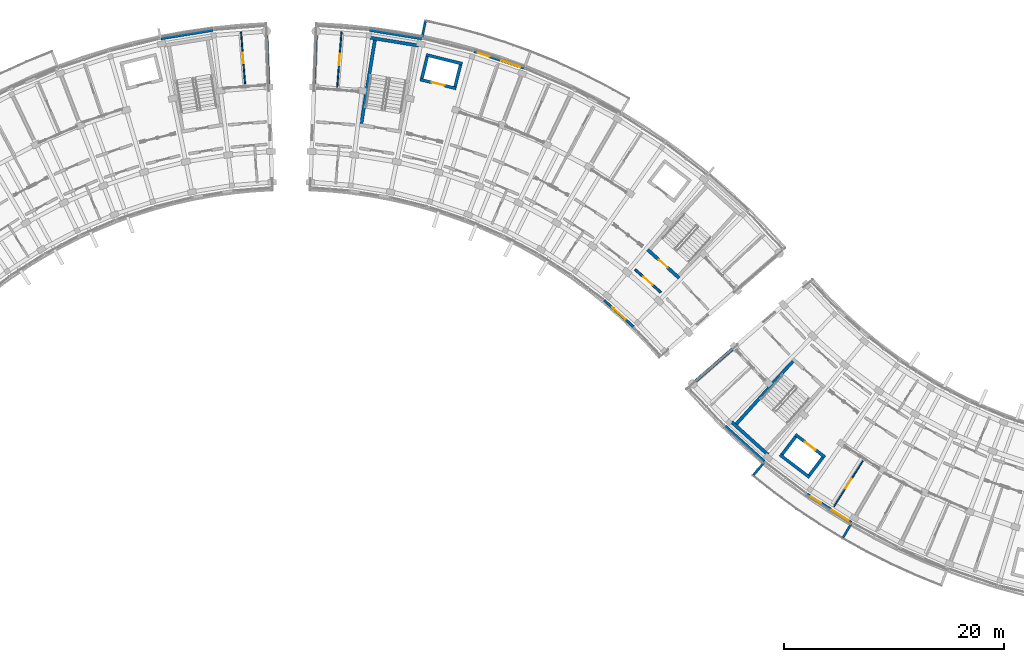
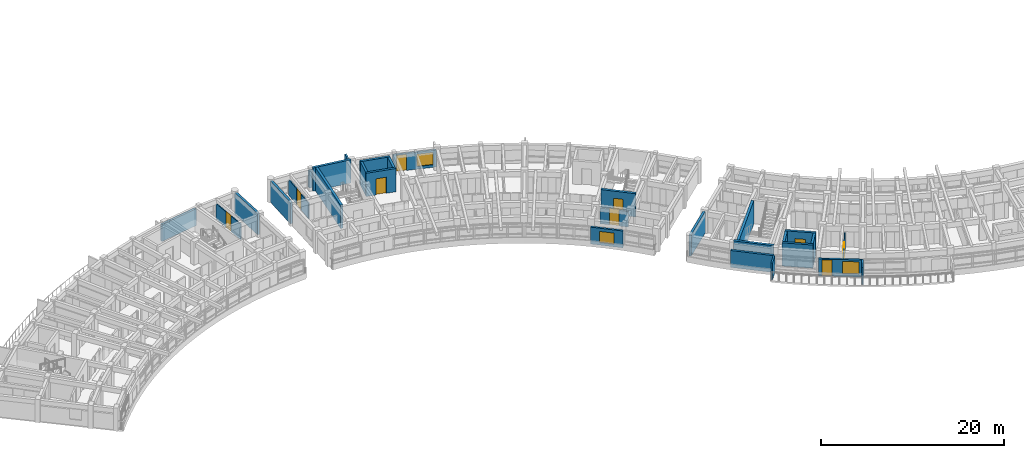
# One storey, part 32 of 55: 29 walls, 9 doors, 3 windows, 12 openings.
"""IFC4 building model written with IfcOpenShell, lengths in metres."""

from ifc_helpers import new_model, si_unit, direction, frame, frame_2d, origin, place, context, subcontext, project, spatial, rectangle, extrude, material, layer, layer_set, type_object, element, fill, save


model = new_model("IFC4")

# Units and contexts
model_context = context("Model", 3, precision=1e-05, world=origin(), true_north=direction((0.0, 1.0)))
body_context = subcontext(model_context, "Body", "Model", "MODEL_VIEW")
ifc_project = project(units=[si_unit("LENGTHUNIT", "METRE"), si_unit("AREAUNIT", "SQUARE_METRE"), si_unit("VOLUMEUNIT", "CUBIC_METRE"), si_unit("PLANEANGLEUNIT", "RADIAN"), si_unit("MASSUNIT", "GRAM", prefix="KILO")], contexts=[model_context])

# Site, building, storey
site_placement = place(None, origin())
site = spatial("IfcSite", under=ifc_project, at=site_placement, CompositionType="ELEMENT")
building_placement = place(site_placement, origin())
building = spatial("IfcBuilding", under=site, at=building_placement, Name="Zimvara Arc Housing Community", CompositionType="ELEMENT")
storey_placement = place(building_placement, frame((0.0, 0.0, 14.300048828125)))
storey = spatial("IfcBuildingStorey", under=building, at=storey_placement, Name="L04", CompositionType="ELEMENT", Elevation=14.300048828125)

# Wall, openings, door, window
ifc_material_1 = material(Name="Board-Marked Fair-Faced Concrete C35/45", Category="concrete")
ifc_layer_1 = layer(ifc_material_1, 0.219970703125)
ifc_layer_set_1 = layer_set([ifc_layer_1], Name="Board-Marked Fair-Faced Concrete C35/45")
wall_type_1 = type_object("IfcWallType", Name="EWL-CONC-220", PredefinedType="SOLIDWALL", material=ifc_layer_set_1)
wall_1_placement = place(storey_placement, frame((61.625244140625, 101.50439453125, 0.0), z_axis=(0.0, 0.0, 1.0), x_axis=(0.947867898788, -0.318663531717, 0.0)))
wall_1 = element("IfcWall", 1, at=wall_1_placement, inside=storey, type_object=wall_type_1, Name="ewall:blkB:L04:out:b3", PredefinedType="SOLIDWALL", context=body_context, shape_type="SweptSolid", body=[
    extrude(rectangle(XDim=4.80908203125, YDim=0.219970703125, at=frame_2d((2.404541015625, 0.0))), origin(), (0.0, 0.0, 1.0), 2.25),
])
opening_1_placement = place(wall_1_placement, frame((0.39990234375, 0.0, 0.0)))
opening_1 = element("IfcOpeningElement", 2, at=opening_1_placement, cuts=wall_1, Name="Opening ED06", PredefinedType="OPENING", context=body_context, shape_type="SweptSolid", body=[
    extrude(rectangle(XDim=1.10009765625, YDim=2.14990234375, at=frame_2d((0.550048828125, 1.074951171875))), frame((0.0, 0.119873046875, 0.0), z_axis=(0.0, -1.0, 0.0), x_axis=(1.0, 0.0, 0.0)), (0.0, 0.0, 1.0), 0.239990234375),
])
opening_2_placement = place(wall_1_placement, frame((2.658935546875, 0.0, 0.35009765625)))
opening_2 = element("IfcOpeningElement", 3, at=opening_2_placement, cuts=wall_1, Name="Opening W08", PredefinedType="OPENING", context=body_context, shape_type="SweptSolid", body=[
    extrude(rectangle(XDim=1.800048828125, YDim=1.64990234375, at=frame_2d((0.89990234375, 0.824951171875))), frame((0.0, 0.119873046875, 0.0), z_axis=(0.0, -1.0, 0.0), x_axis=(1.0, 0.0, 0.0)), (0.0, 0.0, 1.0), 0.239990234375),
])
ifc_material_2 = material(Name="Anodised Aluminium AW-6063", Category="aluminium")
door_type_1 = type_object("IfcDoorType", Name="EDR-TERR-1100x2150", OperationType="NOTDEFINED", PredefinedType="DOOR", material=ifc_material_2)
door_1_placement = place(opening_1_placement, origin())
door_1 = element("IfcDoor", 4, at=door_1_placement, inside=storey, type_object=door_type_1, Name="edoor:blkB:L04:bal_out:b3", OperationType="SINGLE_SWING_LEFT", OverallHeight=2.14990234375, OverallWidth=1.10009765625, PredefinedType="DOOR", context=body_context, shape_type="SweptSolid", body=[
    extrude(rectangle(XDim=1.10009765625, YDim=2.14990234375, at=frame_2d((0.550048828125, 1.074951171875))), frame((0.0, 0.02490234375, 0.0), z_axis=(0.0, -1.0, 0.0), x_axis=(1.0, 0.0, 0.0)), (0.0, 0.0, 1.0), 0.050048828125),
])
fill(opening_1, door_1)
ifc_material_3 = material(Name="Solar Control Low-E Double Glazing", Category="glass")
window_type_1 = type_object("IfcWindowType", Name="WIN-RES-1800x1650", PartitioningType="TRIPLE_PANEL_VERTICAL", PredefinedType="WINDOW", material=ifc_material_3)
window_1_placement = place(opening_2_placement, origin())
window_1 = element("IfcWindow", 5, at=window_1_placement, inside=storey, type_object=window_type_1, Name="win:blkB:L04:out:b3:balw", OverallHeight=1.64990234375, OverallWidth=1.800048828125, PartitioningType="TRIPLE_PANEL_VERTICAL", PredefinedType="WINDOW", context=body_context, shape_type="SweptSolid", body=[
    extrude(rectangle(XDim=1.800048828125, YDim=1.64990234375, at=frame_2d((0.89990234375, 0.824951171875))), frame((0.0, 0.030029296875, 0.0), z_axis=(0.0, -1.0, 0.0), x_axis=(1.0, 0.0, 0.0)), (0.0, 0.0, 1.0), 0.06005859375),
])
fill(opening_2, window_1)

# Wall, opening, window
ifc_material_4 = material(Name="Board-Marked Fair-Faced Concrete C35/45", Category="concrete")
ifc_layer_2 = layer(ifc_material_4, 0.22998046875)
ifc_layer_set_2 = layer_set([ifc_layer_2], Name="Board-Marked Fair-Faced Concrete C35/45")
wall_type_2 = type_object("IfcWallType", Name="EWL-CONC-230", PredefinedType="SOLIDWALL", material=ifc_layer_set_2)
wall_2_placement = place(storey_placement, frame((73.480712890625, 78.84716796875, 0.0), z_axis=(0.0, 0.0, 1.0), x_axis=(0.743385092197, -0.668863666751, 0.0)))
wall_2 = element("IfcWall", 6, at=wall_2_placement, inside=storey, type_object=wall_type_2, Name="ewall:blkB:L04:in:b8", PredefinedType="SOLIDWALL", context=body_context, shape_type="SweptSolid", body=[
    extrude(rectangle(XDim=3.603759765625, YDim=0.22998046875, at=frame_2d((1.8017578125, 0.0))), origin(), (0.0, 0.0, 1.0), 2.25),
])
opening_3_placement = place(wall_2_placement, frame((1.001708984375, 0.0, 0.320068359375)))
opening_3 = element("IfcOpeningElement", 7, at=opening_3_placement, cuts=wall_2, Name="Opening W03", PredefinedType="OPENING", context=body_context, shape_type="SweptSolid", body=[
    extrude(rectangle(XDim=1.60009765625, YDim=1.5, at=frame_2d((0.800048828125, 0.75))), frame((0.0, 0.125, 0.0), z_axis=(0.0, -1.0, 0.0), x_axis=(1.0, 0.0, 0.0)), (0.0, 0.0, 1.0), 0.25),
])
ifc_material_5 = material(Name="Solar Control Low-E Double Glazing", Category="glass")
window_type_2 = type_object("IfcWindowType", Name="WIN-RES-1600x1500", PartitioningType="DOUBLE_PANEL_VERTICAL", PredefinedType="WINDOW", material=ifc_material_5)
window_2_placement = place(opening_3_placement, origin())
window_2 = element("IfcWindow", 8, at=window_2_placement, inside=storey, type_object=window_type_2, Name="win:blkB:L04:in:b8", OverallHeight=1.5, OverallWidth=1.60009765625, PartitioningType="DOUBLE_PANEL_VERTICAL", PredefinedType="WINDOW", context=body_context, shape_type="SweptSolid", body=[
    extrude(rectangle(XDim=1.60009765625, YDim=1.5, at=frame_2d((0.800048828125, 0.75))), frame((0.0, 0.030029296875, 0.0), z_axis=(0.0, -1.0, 0.0), x_axis=(1.0, 0.0, 0.0)), (0.0, 0.0, 1.0), 0.06005859375),
])
fill(opening_3, window_2)

# Walls
ifc_material_6 = material(Name="Board-Marked Fair-Faced Concrete C40/50", Category="concrete")
ifc_layer_3 = layer(ifc_material_6, 0.27490234375)
ifc_layer_set_3 = layer_set([ifc_layer_3], Name="Board-Marked Fair-Faced Concrete C40/50")
wall_type_3 = type_object("IfcWallType", Name="EWL-CONC-275", PredefinedType="SOLIDWALL", material=ifc_layer_set_3)
wall_3_placement = place(storey_placement, frame((84.508056640625, 67.36328125, 0.0), z_axis=(0.0, 0.0, 1.0), x_axis=(0.743387539862, -0.668860946369, 0.0)))
element("IfcWall", 9, at=wall_3_placement, inside=storey, type_object=wall_type_3, Name="ewall:blkC:L04:out:b1", PredefinedType="SOLIDWALL", context=body_context, shape_type="SweptSolid", body=[
    extrude(rectangle(XDim=4.80908203125, YDim=0.27490234375, at=frame_2d((2.404541015625, 0.0))), origin(), (0.0, 0.0, 1.0), 2.25),
])
ifc_material_7 = material(Name="Board-Marked Fair-Faced Concrete C35/45", Category="concrete")
ifc_layer_4 = layer(ifc_material_7, 0.195068359375)
ifc_layer_set_4 = layer_set([ifc_layer_4], Name="Board-Marked Fair-Faced Concrete C35/45")
wall_type_4 = type_object("IfcWallType", Name="EWL-PARA-195", PredefinedType="PARAPET", material=ifc_layer_set_4)
for number, where, z_axis, x_axis, name in (
    (10, (56.907470703125, 102.714599609375, 0.0), (0.0, 0.0, 1.0), (0.200410159258, 0.979712084271, 0.0), "finwall:blkB:L04:out:b2"),
    (11, (88.072265625, 64.1025390625, 0.0), (0.0, 0.0, 1.0), (-0.637952984874, -0.770075313908, 0.0), "finwall:blkC:L04:out:b2"),
    (12, (96.018798828125, 58.546630859375, 0.0), (0.0, 0.0, 1.0), (-0.504228145431, -0.863570481985, 0.0), "finwall:blkC:L04:out:b4"),
):
    element("IfcWall", number, at=place(storey_placement, frame(where, z_axis=z_axis, x_axis=x_axis)), inside=storey, type_object=wall_type_4, Name=name, PredefinedType="PARAPET", context=body_context, shape_type="SweptSolid", body=[
        extrude(rectangle(XDim=1.530029296875, YDim=0.195068359375, at=frame_2d((0.76513671875, 0.0))), origin(), (0.0, 0.0, 1.0), 2.25),
    ])

# Wall, openings, door, window
ifc_material_8 = material(Name="Pigmented Fair-Faced Concrete C35/45", Category="concrete")
ifc_layer_5 = layer(ifc_material_8, 0.2451171875)
ifc_layer_set_5 = layer_set([ifc_layer_5], Name="Pigmented Fair-Faced Concrete C35/45")
wall_type_5 = type_object("IfcWallType", Name="EWL-PIGM-245", PredefinedType="SOLIDWALL", material=ifc_layer_set_5)
wall_4_placement = place(storey_placement, frame((91.971923828125, 61.18408203125, 0.0), z_axis=(0.0, 0.0, 1.0), x_axis=(0.84226218024, -0.539068103061, 0.0)))
wall_4 = element("IfcWall", 13, at=wall_4_placement, inside=storey, type_object=wall_type_5, Name="ewall:blkC:L04:out:b3", PredefinedType="SOLIDWALL", context=body_context, shape_type="SweptSolid", body=[
    extrude(rectangle(XDim=4.808837890625, YDim=0.2451171875, at=frame_2d((2.404296875, 0.0))), origin(), (0.0, 0.0, 1.0), 2.25),
])
opening_4_placement = place(wall_4_placement, frame((0.39990234375, 0.0, 0.0)))
opening_4 = element("IfcOpeningElement", 14, at=opening_4_placement, cuts=wall_4, Name="Opening ED06", PredefinedType="OPENING", context=body_context, shape_type="SweptSolid", body=[
    extrude(rectangle(XDim=1.10009765625, YDim=2.14990234375, at=frame_2d((0.550048828125, 1.074951171875))), frame((0.0, 0.132568359375, 0.0), z_axis=(0.0, -1.0, 0.0), x_axis=(1.0, 0.0, 0.0)), (0.0, 0.0, 1.0), 0.26513671875),
])
opening_5_placement = place(wall_4_placement, frame((2.658935546875, 0.0, 0.35009765625)))
opening_5 = element("IfcOpeningElement", 15, at=opening_5_placement, cuts=wall_4, Name="Opening W08", PredefinedType="OPENING", context=body_context, shape_type="SweptSolid", body=[
    extrude(rectangle(XDim=1.800048828125, YDim=1.64990234375, at=frame_2d((0.89990234375, 0.824951171875))), frame((0.0, 0.132568359375, 0.0), z_axis=(0.0, -1.0, 0.0), x_axis=(1.0, 0.0, 0.0)), (0.0, 0.0, 1.0), 0.26513671875),
])
door_2_placement = place(opening_4_placement, origin())
door_2 = element("IfcDoor", 16, at=door_2_placement, inside=storey, type_object=door_type_1, Name="edoor:blkC:L04:bal_out:b3", OperationType="SINGLE_SWING_LEFT", OverallHeight=2.14990234375, OverallWidth=1.10009765625, PredefinedType="DOOR", context=body_context, shape_type="SweptSolid", body=[
    extrude(rectangle(XDim=1.10009765625, YDim=2.14990234375, at=frame_2d((0.550048828125, 1.074951171875))), frame((0.0, 0.02490234375, 0.0), z_axis=(0.0, -1.0, 0.0), x_axis=(1.0, 0.0, 0.0)), (0.0, 0.0, 1.0), 0.050048828125),
])
fill(opening_4, door_2)
window_3_placement = place(opening_5_placement, origin())
window_3 = element("IfcWindow", 17, at=window_3_placement, inside=storey, type_object=window_type_1, Name="win:blkC:L04:out:b3:balw", OverallHeight=1.64990234375, OverallWidth=1.800048828125, PartitioningType="TRIPLE_PANEL_VERTICAL", PredefinedType="WINDOW", context=body_context, shape_type="SweptSolid", body=[
    extrude(rectangle(XDim=1.800048828125, YDim=1.64990234375, at=frame_2d((0.89990234375, 0.824951171875))), frame((0.0, 0.030029296875, 0.0), z_axis=(0.0, -1.0, 0.0), x_axis=(1.0, 0.0, 0.0)), (0.0, 0.0, 1.0), 0.06005859375),
])
fill(opening_5, window_3)

# Walls
ifc_material_9 = material(Name="Board-Marked Fair-Faced Concrete C35/45", Category="concrete")
ifc_layer_6 = layer(ifc_material_9, 0.278076171875)
ifc_layer_set_6 = layer_set([ifc_layer_6], Name="Board-Marked Fair-Faced Concrete C35/45")
wall_type_6 = type_object("IfcWallType", Name="EWL-VAR-23", PredefinedType="SOLIDWALL", material=ifc_layer_set_6)
for number, where, z_axis, x_axis, name in (
    (18, (33.120361328125, 102.6787109375, 0.0), (0.0, 0.0, 1.0), (0.987080750493, 0.160223568819, 0.0), "ewall:blkA:L04:out:b8"),
    (19, (52.1328125, 103.44921875, 0.0), (0.0, 0.0, 1.0), (0.987080750493, -0.160223568819, 0.0), "ewall:blkB:L04:out:b1"),
):
    element("IfcWall", number, at=place(storey_placement, frame(where, z_axis=z_axis, x_axis=x_axis)), inside=storey, type_object=wall_type_6, Name=name, PredefinedType="SOLIDWALL", context=body_context, shape_type="SweptSolid", body=[
        extrude(rectangle(XDim=4.808837890625, YDim=0.278076171875, at=frame_2d((2.404296875, 0.0))), origin(), (0.0, 0.0, 1.0), 2.25),
    ])

# Wall, opening, door
ifc_material_10 = material(Name="Concrete C35/45", Category="concrete")
ifc_layer_7 = layer(ifc_material_10, 0.2099609375)
ifc_layer_set_7 = layer_set([ifc_layer_7], Name="Concrete C35/45")
wall_type_7 = type_object("IfcWallType", Name="IWL-CCF-210", PredefinedType="SOLIDWALL", material=ifc_layer_set_7)
wall_5_placement = place(storey_placement, frame((76.317138671875, 81.644287109375, 0.0), z_axis=(0.0, 0.0, 1.0), x_axis=(0.743387266925, -0.668861249718, 0.0)))
wall_5 = element("IfcWall", 20, at=wall_5_placement, inside=storey, type_object=wall_type_7, Name="iwall:blkB:L04:ccf_div:b8", PredefinedType="SOLIDWALL", context=body_context, shape_type="SweptSolid", body=[
    extrude(rectangle(XDim=3.12841796875, YDim=0.2099609375, at=frame_2d((1.564208984375, 0.0))), origin(), (0.0, 0.0, 1.0), 2.079833984375),
])
opening_6_placement = place(wall_5_placement, frame((1.014404296875, 0.0, 0.0)))
opening_6 = element("IfcOpeningElement", 21, at=opening_6_placement, cuts=wall_5, Name="Opening FD-CCF1", PredefinedType="OPENING", context=body_context, shape_type="SweptSolid", body=[
    extrude(rectangle(XDim=1.10009765625, YDim=2.14990234375, at=frame_2d((0.550048828125, 1.074951171875))), frame((0.0, 0.114990234375, 0.0), z_axis=(0.0, -1.0, 0.0), x_axis=(1.0, 0.0, 0.0)), (0.0, 0.0, 1.0), 0.22998046875),
])
ifc_material_11 = material(Name="Anodised Aluminium AW-6063", Category="aluminium")
door_type_2 = type_object("IfcDoorType", Name="IDR-CCF-1100x2150", OperationType="NOTDEFINED", PredefinedType="DOOR", material=ifc_material_11)
door_3_placement = place(opening_6_placement, origin())
door_3 = element("IfcDoor", 22, at=door_3_placement, inside=storey, type_object=door_type_2, Name="idoor:blkB:L04:ccf_in:b8", OperationType="SINGLE_SWING_LEFT", OverallHeight=2.14990234375, OverallWidth=1.10009765625, PredefinedType="DOOR", context=body_context, shape_type="SweptSolid", body=[
    extrude(rectangle(XDim=1.10009765625, YDim=2.14990234375, at=frame_2d((0.550048828125, 1.074951171875))), frame((0.0, 0.02490234375, 0.0), z_axis=(0.0, -1.0, 0.0), x_axis=(1.0, 0.0, 0.0)), (0.0, 0.0, 1.0), 0.050048828125),
])
fill(opening_6, door_3)

ifc_material_12 = material(Name="Painted Acoustic Plasterboard")
ifc_layer_8 = layer(ifc_material_12, 0.1201171875)
ifc_layer_set_8 = layer_set([ifc_layer_8], Name="Painted Acoustic Plasterboard")
wall_type_8 = type_object("IfcWallType", Name="IWL-PART-120", PredefinedType="PARTITIONING", material=ifc_layer_set_8)
wall_6_placement = place(storey_placement, frame((40.791259765625, 98.536376953125, 0.0), z_axis=(0.0, 0.0, 1.0), x_axis=(-0.077663362156, 0.996979639801, 0.0)))
wall_6 = element("IfcWall", 23, at=wall_6_placement, inside=storey, type_object=wall_type_8, Name="iwall:blkA:L04:bed_div:b9", PredefinedType="PARTITIONING", context=body_context, shape_type="SweptSolid", body=[
    extrude(rectangle(XDim=4.75, YDim=0.1201171875, at=frame_2d((2.375, 0.0))), origin(), (0.0, 0.0, 1.0), 2.079833984375),
])
opening_7_placement = place(wall_6_placement, frame((1.889892578125, 0.0, 0.0)))
opening_7 = element("IfcOpeningElement", 24, at=opening_7_placement, cuts=wall_6, Name="Opening D14", PredefinedType="OPENING", context=body_context, shape_type="SweptSolid", body=[
    extrude(rectangle(XDim=0.969970703125, YDim=2.10009765625, at=frame_2d((0.48486328125, 1.050048828125))), frame((0.0, 0.070068359375, 0.0), z_axis=(0.0, -1.0, 0.0), x_axis=(1.0, 0.0, 0.0)), (0.0, 0.0, 1.0), 0.14013671875),
])
ifc_material_13 = material(Name="Mozambican Hardwood", Category="wood")
door_type_3 = type_object("IfcDoorType", Name="IDR-MOD-970x2080", OperationType="NOTDEFINED", PredefinedType="DOOR", material=ifc_material_13)
door_4_placement = place(opening_7_placement, origin())
door_4 = element("IfcDoor", 25, at=door_4_placement, inside=storey, type_object=door_type_3, Name="idoor:blkA:L04:bed_d:b9", OperationType="SINGLE_SWING_LEFT", OverallHeight=2.10009765625, OverallWidth=0.969970703125, PredefinedType="DOOR", context=body_context, shape_type="SweptSolid", body=[
    extrude(rectangle(XDim=0.969970703125, YDim=2.10009765625, at=frame_2d((0.48486328125, 1.050048828125))), frame((0.0, 0.02490234375, 0.0), z_axis=(0.0, -1.0, 0.0), x_axis=(1.0, 0.0, 0.0)), (0.0, 0.0, 1.0), 0.050048828125),
])
fill(opening_7, door_4)

wall_7_placement = place(storey_placement, frame((49.185546875, 98.2373046875, 0.0), z_axis=(0.0, 0.0, 1.0), x_axis=(0.077642898906, 0.99698123365, 0.0)))
wall_7 = element("IfcWall", 26, at=wall_7_placement, inside=storey, type_object=wall_type_8, Name="iwall:blkB:L04:bed_div:b0", PredefinedType="PARTITIONING", context=body_context, shape_type="SweptSolid", body=[
    extrude(rectangle(XDim=5.0498046875, YDim=0.1201171875, at=frame_2d((2.52490234375, 0.0))), origin(), (0.0, 0.0, 1.0), 2.079833984375),
])
opening_8_placement = place(wall_7_placement, frame((1.9951171875, 0.0, 0.0)))
opening_8 = element("IfcOpeningElement", 27, at=opening_8_placement, cuts=wall_7, Name="Opening D16", PredefinedType="OPENING", context=body_context, shape_type="SweptSolid", body=[
    extrude(rectangle(XDim=1.06005859375, YDim=2.10009765625, at=frame_2d((0.530029296875, 1.050048828125))), frame((0.0, 0.070068359375, 0.0), z_axis=(0.0, -1.0, 0.0), x_axis=(1.0, 0.0, 0.0)), (0.0, 0.0, 1.0), 0.14013671875),
])
ifc_material_14 = material(Name="Mozambican Hardwood", Category="wood")
door_type_4 = type_object("IfcDoorType", Name="IDR-MOD-1060x2220", OperationType="NOTDEFINED", PredefinedType="DOOR", material=ifc_material_14)
door_5_placement = place(opening_8_placement, origin())
door_5 = element("IfcDoor", 28, at=door_5_placement, inside=storey, type_object=door_type_4, Name="idoor:blkB:L04:bed_d:b0", OperationType="SINGLE_SWING_RIGHT", OverallHeight=2.10009765625, OverallWidth=1.06005859375, PredefinedType="DOOR", context=body_context, shape_type="SweptSolid", body=[
    extrude(rectangle(XDim=1.06005859375, YDim=2.10009765625, at=frame_2d((0.530029296875, 1.050048828125))), frame((0.0, 0.02490234375, 0.0), z_axis=(0.0, -1.0, 0.0), x_axis=(1.0, 0.0, 0.0)), (0.0, 0.0, 1.0), 0.050048828125),
])
fill(opening_8, door_5)

wall_8_placement = place(storey_placement, frame((97.0498046875, 64.204345703125, 0.0), z_axis=(0.0, 0.0, 1.0), x_axis=(-0.535246458955, -0.844695938297, 0.0)))
wall_8 = element("IfcWall", 29, at=wall_8_placement, inside=storey, type_object=wall_type_8, Name="iwall:blkC:L04:bed_div:b3", PredefinedType="PARTITIONING", context=body_context, shape_type="SweptSolid", body=[
    extrude(rectangle(XDim=4.900146484375, YDim=0.1201171875, at=frame_2d((2.4501953125, 0.0))), origin(), (0.0, 0.0, 1.0), 2.079833984375),
])
opening_9_placement = place(wall_8_placement, frame((1.919921875, 0.0, 0.0)))
opening_9 = element("IfcOpeningElement", 30, at=opening_9_placement, cuts=wall_8, Name="Opening D16", PredefinedType="OPENING", context=body_context, shape_type="SweptSolid", body=[
    extrude(rectangle(XDim=1.06005859375, YDim=2.10009765625, at=frame_2d((0.530029296875, 1.050048828125))), frame((0.0, 0.070068359375, 0.0), z_axis=(0.0, -1.0, 0.0), x_axis=(1.0, 0.0, 0.0)), (0.0, 0.0, 1.0), 0.14013671875),
])
door_6_placement = place(opening_9_placement, origin())
door_6 = element("IfcDoor", 31, at=door_6_placement, inside=storey, type_object=door_type_4, Name="idoor:blkC:L04:bed_d:b3", OperationType="SINGLE_SWING_LEFT", OverallHeight=2.10009765625, OverallWidth=1.06005859375, PredefinedType="DOOR", context=body_context, shape_type="SweptSolid", body=[
    extrude(rectangle(XDim=1.06005859375, YDim=2.10009765625, at=frame_2d((0.530029296875, 1.050048828125))), frame((0.0, 0.02490234375, 0.0), z_axis=(0.0, -1.0, 0.0), x_axis=(1.0, 0.0, 0.0)), (0.0, 0.0, 1.0), 0.050048828125),
])
fill(opening_9, door_6)

ifc_material_15 = material(Name="Concrete C40/50", Category="concrete")
ifc_layer_9 = layer(ifc_material_15, 0.280029296875)
ifc_layer_set_9 = layer_set([ifc_layer_9], Name="Concrete C40/50")
wall_type_9 = type_object("IfcWallType", Name="WL-CORE-280", PredefinedType="SHEAR", material=ifc_layer_set_9)
wall_9_placement = place(storey_placement, frame((60.017578125, 98.127685546875, 0.0), z_axis=(0.0, 0.0, 1.0), x_axis=(-0.970707542441, 0.240264160972, 0.0)))
wall_9 = element("IfcWall", 32, at=wall_9_placement, inside=storey, type_object=wall_type_9, Name="lwall:LF-B1:L04:front", PredefinedType="SHEAR", context=body_context, shape_type="SweptSolid", body=[
    extrude(rectangle(XDim=3.389892578125, YDim=0.280029296875, at=frame_2d((1.69482421875, 0.0))), origin(), (0.0, 0.0, 1.0), 3.099853515625),
])
opening_10_placement = place(wall_9_placement, frame((1.094970703125, 0.0, 0.0)))
opening_10 = element("IfcOpeningElement", 33, at=opening_10_placement, cuts=wall_9, Name="Opening LD-LF-B1", PredefinedType="OPENING", context=body_context, shape_type="SweptSolid", body=[
    extrude(rectangle(XDim=1.199951171875, YDim=2.14990234375, at=frame_2d((0.60009765625, 1.074951171875))), frame((0.0, 0.14990234375, 0.0), z_axis=(0.0, -1.0, 0.0), x_axis=(1.0, 0.0, 0.0)), (0.0, 0.0, 1.0), 0.300048828125),
])
ifc_material_16 = material(Name="Anodised Aluminium AW-6063", Category="aluminium")
door_type_5 = type_object("IfcDoorType", Name="IDR-LD-1200x2150", OperationType="DOUBLE_DOOR_SLIDING", PredefinedType="DOOR", material=ifc_material_16)
door_7_placement = place(opening_10_placement, origin())
door_7 = element("IfcDoor", 34, at=door_7_placement, inside=storey, type_object=door_type_5, Name="Lift LF-B1 Sliding Landing Door L04", OperationType="DOUBLE_DOOR_SLIDING", OverallHeight=2.14990234375, OverallWidth=1.199951171875, PredefinedType="DOOR", context=body_context, shape_type="SweptSolid", body=[
    extrude(rectangle(XDim=1.199951171875, YDim=2.14990234375, at=frame_2d((0.60009765625, 1.074951171875))), frame((0.0, 0.02490234375, 0.0), z_axis=(0.0, -1.0, 0.0), x_axis=(1.0, 0.0, 0.0)), (0.0, 0.0, 1.0), 0.050048828125),
])
fill(opening_10, door_7)

# Walls
wall_10_placement = place(storey_placement, frame((60.572509765625, 100.3701171875, 0.0), z_axis=(0.0, 0.0, 1.0), x_axis=(-0.970711699588, 0.240247364777, 0.0)))
element("IfcWall", 35, at=wall_10_placement, inside=storey, type_object=wall_type_9, Name="lwall:LF-B1:L04:back", PredefinedType="SHEAR", context=body_context, shape_type="SweptSolid", body=[
    extrude(rectangle(XDim=3.39013671875, YDim=0.280029296875, at=frame_2d((1.695068359375, 0.0))), origin(), (0.0, 0.0, 1.0), 3.099853515625),
])
wall_11_placement = place(storey_placement, frame((59.915283203125, 98.29736328125, 0.0), z_axis=(0.0, 0.0, 1.0), x_axis=(0.2402993748, 0.970698825832, 0.0)))
element("IfcWall", 36, at=wall_11_placement, inside=storey, type_object=wall_type_9, Name="lwall:LF-B1:L04:left", PredefinedType="SHEAR", context=body_context, shape_type="SweptSolid", body=[
    extrude(rectangle(XDim=2.030029296875, YDim=0.280029296875, at=frame_2d((1.01513671875, 0.0))), origin(), (0.0, 0.0, 1.0), 3.099853515625),
])
wall_12_placement = place(storey_placement, frame((56.896484375, 99.04443359375, 0.0), z_axis=(0.0, 0.0, 1.0), x_axis=(0.240186044774, 0.970726873995, 0.0)))
element("IfcWall", 37, at=wall_12_placement, inside=storey, type_object=wall_type_9, Name="lwall:LF-B1:L04:right", PredefinedType="SHEAR", context=body_context, shape_type="SweptSolid", body=[
    extrude(rectangle(XDim=2.02978515625, YDim=0.280029296875, at=frame_2d((1.014892578125, 0.0))), origin(), (0.0, 0.0, 1.0), 3.099853515625),
])

# Wall, opening, door
wall_13_placement = place(storey_placement, frame((90.8994140625, 66.607177734375, 0.0), z_axis=(0.0, 0.0, 1.0), x_axis=(0.795439986025, -0.606032365994, 0.0)))
wall_13 = element("IfcWall", 38, at=wall_13_placement, inside=storey, type_object=wall_type_9, Name="lwall:LF-C1:L04:front", PredefinedType="SHEAR", context=body_context, shape_type="SweptSolid", body=[
    extrude(rectangle(XDim=3.389892578125, YDim=0.280029296875, at=frame_2d((1.69482421875, 0.0))), origin(), (0.0, 0.0, 1.0), 3.099853515625),
])
opening_11_placement = place(wall_13_placement, frame((1.094970703125, 0.0, 0.0)))
opening_11 = element("IfcOpeningElement", 39, at=opening_11_placement, cuts=wall_13, Name="Opening LD-LF-C1", PredefinedType="OPENING", context=body_context, shape_type="SweptSolid", body=[
    extrude(rectangle(XDim=1.199951171875, YDim=2.14990234375, at=frame_2d((0.60009765625, 1.074951171875))), frame((0.0, 0.14990234375, 0.0), z_axis=(0.0, -1.0, 0.0), x_axis=(1.0, 0.0, 0.0)), (0.0, 0.0, 1.0), 0.300048828125),
])
door_8_placement = place(opening_11_placement, origin())
door_8 = element("IfcDoor", 40, at=door_8_placement, inside=storey, type_object=door_type_5, Name="Lift LF-C1 Sliding Landing Door L04", OperationType="DOUBLE_DOOR_SLIDING", OverallHeight=2.14990234375, OverallWidth=1.199951171875, PredefinedType="DOOR", context=body_context, shape_type="SweptSolid", body=[
    extrude(rectangle(XDim=1.199951171875, YDim=2.14990234375, at=frame_2d((0.60009765625, 1.074951171875))), frame((0.0, 0.02490234375, 0.0), z_axis=(0.0, -1.0, 0.0), x_axis=(1.0, 0.0, 0.0)), (0.0, 0.0, 1.0), 0.050048828125),
])
fill(opening_11, door_8)

# Walls
wall_14_placement = place(storey_placement, frame((89.49951171875, 64.76953125, 0.0), z_axis=(0.0, 0.0, 1.0), x_axis=(0.795474703455, -0.605986795371, 0.0)))
element("IfcWall", 41, at=wall_14_placement, inside=storey, type_object=wall_type_9, Name="lwall:LF-C1:L04:back", PredefinedType="SHEAR", context=body_context, shape_type="SweptSolid", body=[
    extrude(rectangle(XDim=3.389892578125, YDim=0.280029296875, at=frame_2d((1.69482421875, 0.0))), origin(), (0.0, 0.0, 1.0), 3.099853515625),
])
wall_15_placement = place(storey_placement, frame((90.92578125, 66.410888671875, 0.0), z_axis=(0.0, 0.0, 1.0), x_axis=(-0.605948992168, -0.795503500238, 0.0)))
element("IfcWall", 42, at=wall_15_placement, inside=storey, type_object=wall_type_9, Name="lwall:LF-C1:L04:left", PredefinedType="SHEAR", context=body_context, shape_type="SweptSolid", body=[
    extrude(rectangle(XDim=2.02978515625, YDim=0.280029296875, at=frame_2d((1.014892578125, 0.0))), origin(), (0.0, 0.0, 1.0), 3.099853515625),
])
wall_16_placement = place(storey_placement, frame((93.399658203125, 64.5263671875, 0.0), z_axis=(0.0, 0.0, 1.0), x_axis=(-0.605891019062, -0.795547656033, 0.0)))
element("IfcWall", 43, at=wall_16_placement, inside=storey, type_object=wall_type_9, Name="lwall:LF-C1:L04:right", PredefinedType="SHEAR", context=body_context, shape_type="SweptSolid", body=[
    extrude(rectangle(XDim=2.030029296875, YDim=0.280029296875, at=frame_2d((1.01513671875, 0.0))), origin(), (0.0, 0.0, 1.0), 3.099853515625),
])
ifc_material_17 = material(Name="Concrete C40/50", Category="concrete")
ifc_layer_10 = layer(ifc_material_17, 0.300048828125)
ifc_layer_set_10 = layer_set([ifc_layer_10], Name="Concrete C40/50")
wall_type_10 = type_object("IfcWallType", Name="WL-CORE-300", PredefinedType="SHEAR", material=ifc_layer_set_10)
wall_17_placement = place(storey_placement, frame((56.6025390625, 102.029296875, 0.0), z_axis=(0.0, 0.0, 1.0), x_axis=(-0.987084710126, 0.160199173019, 0.0)))
element("IfcWall", 44, at=wall_17_placement, inside=storey, type_object=wall_type_10, Name="cwall:ST-B1:L04:far", PredefinedType="SHEAR", context=body_context, shape_type="SweptSolid", body=[
    extrude(rectangle(XDim=4.4697265625, YDim=0.300048828125, at=frame_2d((2.23486328125, 0.0))), origin(), (0.0, 0.0, 1.0), 3.099853515625),
])
wall_18_placement = place(storey_placement, frame((51.37841796875, 94.9345703125, 0.0), z_axis=(0.0, 0.0, 1.0), x_axis=(0.160196564502, 0.987085133472, 0.0)))
element("IfcWall", 45, at=wall_18_placement, inside=storey, type_object=wall_type_10, Name="cwall:ST-B1:L04:right", PredefinedType="SHEAR", context=body_context, shape_type="SweptSolid", body=[
    extrude(rectangle(XDim=7.690185546875, YDim=0.300048828125, at=frame_2d((3.84521484375, 0.0))), origin(), (0.0, 0.0, 1.0), 3.099853515625),
])

# Wall, opening, door
wall_19_placement = place(storey_placement, frame((80.320068359375, 80.861572265625, 0.0), z_axis=(0.0, 0.0, 1.0), x_axis=(-0.743375696158, 0.668874109501, 0.0)))
wall_19 = element("IfcWall", 46, at=wall_19_placement, inside=storey, type_object=wall_type_10, Name="cwall:ST-B2:L04:near", PredefinedType="SHEAR", context=body_context, shape_type="SweptSolid", body=[
    extrude(rectangle(XDim=3.8701171875, YDim=0.300048828125, at=frame_2d((1.93505859375, 0.0))), origin(), (0.0, 0.0, 1.0), 3.099853515625),
])
opening_12_placement = place(wall_19_placement, frame((1.409912109375, 0.0, 0.0)))
opening_12 = element("IfcOpeningElement", 47, at=opening_12_placement, cuts=wall_19, Name="Opening FD-ST2", PredefinedType="OPENING", context=body_context, shape_type="SweptSolid", body=[
    extrude(rectangle(XDim=1.050048828125, YDim=2.14990234375, at=frame_2d((0.52490234375, 1.074951171875))), frame((0.0, 0.159912109375, 0.0), z_axis=(0.0, -1.0, 0.0), x_axis=(1.0, 0.0, 0.0)), (0.0, 0.0, 1.0), 0.320068359375),
])
ifc_material_18 = material(Name="Anodised Aluminium AW-6063", Category="aluminium")
door_type_6 = type_object("IfcDoorType", Name="IDR-ST-1050x2150", OperationType="NOTDEFINED", PredefinedType="DOOR", material=ifc_material_18)
door_9_placement = place(opening_12_placement, origin())
door_9 = element("IfcDoor", 48, at=door_9_placement, inside=storey, type_object=door_type_6, Name="idoor:ST-B2:L04:entry", OperationType="SINGLE_SWING_RIGHT", OverallHeight=2.14990234375, OverallWidth=1.050048828125, PredefinedType="DOOR", context=body_context, shape_type="SweptSolid", body=[
    extrude(rectangle(XDim=1.050048828125, YDim=2.14990234375, at=frame_2d((0.52490234375, 1.074951171875))), frame((0.0, 0.02490234375, 0.0), z_axis=(0.0, -1.0, 0.0), x_axis=(1.0, 0.0, 0.0)), (0.0, 0.0, 1.0), 0.050048828125),
])
fill(opening_12, door_9)

# Walls
wall_20_placement = place(storey_placement, frame((85.092529296875, 67.759521484375, 0.0), z_axis=(0.0, 0.0, 1.0), x_axis=(0.743372896184, -0.668877221333, 0.0)))
element("IfcWall", 49, at=wall_20_placement, inside=storey, type_object=wall_type_10, Name="cwall:ST-C1:L04:far", PredefinedType="SHEAR", context=body_context, shape_type="SweptSolid", body=[
    extrude(rectangle(XDim=4.47021484375, YDim=0.300048828125, at=frame_2d((2.235107421875, 0.0))), origin(), (0.0, 0.0, 1.0), 3.099853515625),
])
wall_21_placement = place(storey_placement, frame((90.671142578125, 73.28662109375, 0.0), z_axis=(0.0, 0.0, 1.0), x_axis=(-0.668885797871, -0.743365179038, 0.0)))
element("IfcWall", 50, at=wall_21_placement, inside=storey, type_object=wall_type_10, Name="cwall:ST-C1:L04:left", PredefinedType="SHEAR", context=body_context, shape_type="SweptSolid", body=[
    extrude(rectangle(XDim=7.690185546875, YDim=0.300048828125, at=frame_2d((3.84521484375, 0.0))), origin(), (0.0, 0.0, 1.0), 3.099853515625),
])
ifc_material_19 = material(Name="Concrete C40/50", Category="concrete")
ifc_layer_11 = layer(ifc_material_19, 0.27001953125)
ifc_layer_set_11 = layer_set([ifc_layer_11], Name="Concrete C40/50")
wall_type_11 = type_object("IfcWallType", Name="WL-SHEAR-270", PredefinedType="SHEAR", material=ifc_layer_set_11)
for number, where, z_axis, x_axis, name in (
    (51, (42.927734375, 98.440185546875, 0.0), (0.0, 0.0, 1.0), (-0.038379487611, 0.999263236055, 0.0), "swall:blkA:L04:east"),
    (52, (47.072265625, 98.440185546875, 0.0), (0.0, 0.0, 1.0), (0.038379487611, 0.999263236055, 0.0), "swall:blkB:L04:west"),
    (53, (85.24072265625, 74.446044921875, 0.0), (0.0, 0.0, 1.0), (-0.754703505217, -0.65606601742, 0.0), "swall:blkC:L04:west"),
):
    element("IfcWall", number, at=place(storey_placement, frame(where, z_axis=z_axis, x_axis=x_axis)), inside=storey, type_object=wall_type_11, Name=name, PredefinedType="SHEAR", context=body_context, shape_type="SweptSolid", body=[
        extrude(rectangle(XDim=4.719970703125, YDim=0.27001953125, at=frame_2d((2.35986328125, 0.0))), origin(), (0.0, 0.0, 1.0), 2.85986328125),
    ])

save(model, "model.ifc")
